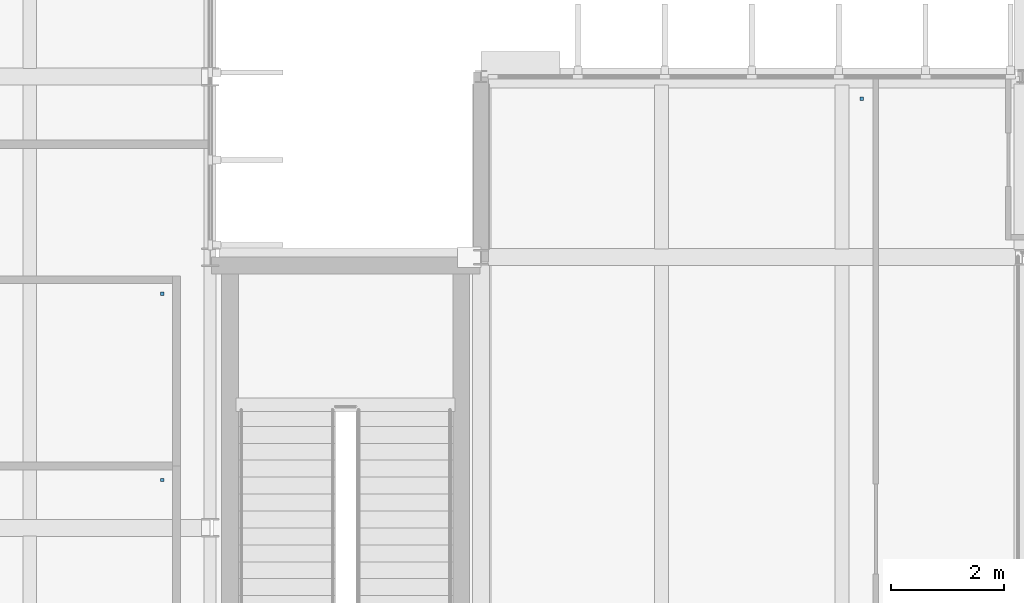
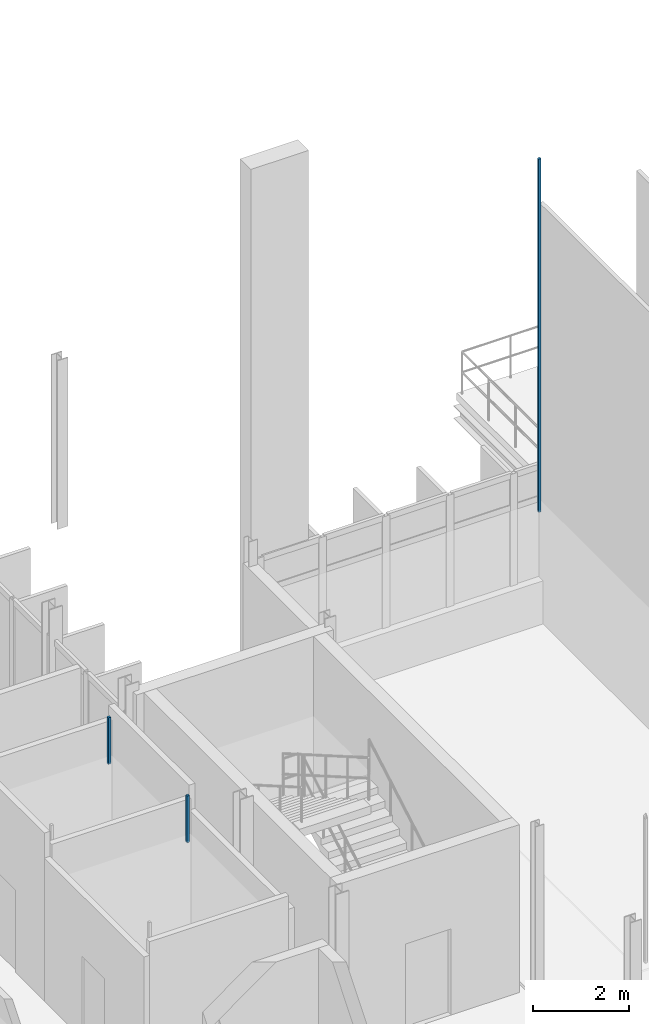
# One storey, part 30 of 41: 3 discrete accessories.
"""IFC4 building model written with IfcOpenShell, lengths in metres."""

import ifcopenshell
import ifcopenshell.guid

model = None  # the IFC model being written
_history = None  # IfcOwnerHistory: only IFC2X3 demands one
_inside = {}  # id of a spatial element -> (the spatial element, [elements in it])
_under = {}  # id of a project, library or spatial element -> (it, [spatial elements below it])
_declared = {}  # id of a project -> (the project, [libraries it declares])
_typed = {}  # id of a type object -> (the type object, [elements of that type])
_made_of = {}  # id of a material, layer set ... -> (it, [elements and type objects made of it])


def new_model(schema):
    """Start an empty IFC model of exactly this schema.

    Asked for "IFC4X3", IfcOpenShell would pick the latest addendum, in which some entities
    have other attributes; the version numbers below select the first issue.
    IFC2X3 requires an IfcOwnerHistory on every rooted entity: one is made here for all.
    """
    global model, _history
    if schema == "IFC4X3":
        model = ifcopenshell.file(schema_version=(4, 3, 0, 0))
    else:
        model = ifcopenshell.file(schema=schema)
    _inside.clear()
    _under.clear()
    _declared.clear()
    _typed.clear()
    _made_of.clear()
    _history = None
    if model.schema == "IFC2X3":
        org = make("IfcOrganization", Name="unknown")
        user = make(
            "IfcPersonAndOrganization",
            ThePerson=make("IfcPerson", FamilyName="unknown"),
            TheOrganization=org,
        )
        app = make(
            "IfcApplication",
            ApplicationDeveloper=org,
            Version="unknown",
            ApplicationFullName="unknown",
            ApplicationIdentifier="unknown",
        )
        _history = make(
            "IfcOwnerHistory",
            OwningUser=user,
            OwningApplication=app,
            ChangeAction="ADDED",
            CreationDate=0,
        )
    return model


def make(cls, **values):
    """One entity of the class cls with the attributes given. An attribute that is None is left unset."""
    return model.create_entity(
        cls, **{name: value for name, value in values.items() if value is not None}
    )


def rooted(cls, **values):
    """An entity with a GlobalId (a new one), such as an element, a storey or a relation."""
    return make(cls, GlobalId=ifcopenshell.guid.new(), OwnerHistory=_history, **values)


def si_unit(unit_type, name, prefix=None):
    """IfcSIUnit, for example si_unit("LENGTHUNIT", "METRE", prefix="MILLI")."""
    return make("IfcSIUnit", UnitType=unit_type, Prefix=prefix, Name=name)


def assignment(units):
    """IfcUnitAssignment: the units of a project."""
    return None if units is None else make("IfcUnitAssignment", Units=units)


def point(xyz):
    """IfcCartesianPoint."""
    return None if xyz is None else make("IfcCartesianPoint", Coordinates=xyz)


def direction(xyz):
    """IfcDirection."""
    return None if xyz is None else make("IfcDirection", DirectionRatios=xyz)


def frame(location, z_axis=None, x_axis=None):
    """IfcAxis2Placement3D, a coordinate frame: its origin and axes. An axis left out is left unset."""
    return make(
        "IfcAxis2Placement3D",
        Location=point(location),
        Axis=direction(z_axis),
        RefDirection=direction(x_axis),
    )


def origin():
    """The frame at (0, 0, 0) with its axes left unset."""
    return frame((0.0, 0.0, 0.0))


def place(relative_to, where):
    """IfcLocalPlacement: puts the frame where relative to a parent placement (None: the world)."""
    return make(
        "IfcLocalPlacement", PlacementRelTo=relative_to, RelativePlacement=where
    )


def context(
    kind, dimensions, precision=None, world=None, true_north=None, identifier=None
):
    """IfcGeometricRepresentationContext, for example the 3D "Model" context."""
    return make(
        "IfcGeometricRepresentationContext",
        ContextIdentifier=identifier,
        ContextType=kind,
        CoordinateSpaceDimension=dimensions,
        Precision=precision,
        WorldCoordinateSystem=world,
        TrueNorth=true_north,
    )


def subcontext(parent, identifier, kind, view, scale=None):
    """IfcGeometricRepresentationSubContext, for example "Body" below "Model"."""
    return make(
        "IfcGeometricRepresentationSubContext",
        ContextIdentifier=identifier,
        ContextType=kind,
        ParentContext=parent,
        TargetScale=scale,
        TargetView=view,
    )


def project(units=None, contexts=None):
    """IfcProject with its units and contexts."""
    return rooted(
        "IfcProject",
        Name="project",
        RepresentationContexts=contexts,
        UnitsInContext=assignment(units),
    )


def spatial(cls, under=None, at=None, **own):
    """A site, building, storey or space (cls), placed at a placement, below another one or the project."""
    s = rooted(cls, ObjectPlacement=at, **own)
    if under is not None:
        _under.setdefault(under.id(), (under, []))[1].append(s)
    return s


def polyline(points):
    """IfcPolyline through the points."""
    return make("IfcPolyline", Points=[point(p) for p in points])


def outline(outer, holes=None, kind="AREA"):
    """IfcArbitraryClosedProfileDef: a profile drawn as a closed curve; with holes, ...WithVoids."""
    if holes is None:
        return make("IfcArbitraryClosedProfileDef", ProfileType=kind, OuterCurve=outer)
    return make(
        "IfcArbitraryProfileDefWithVoids",
        ProfileType=kind,
        OuterCurve=outer,
        InnerCurves=holes,
    )


def extrude(swept, where, along, depth):
    """IfcExtrudedAreaSolid: the profile swept, set in the frame where, extruded along a direction by depth."""
    return make(
        "IfcExtrudedAreaSolid",
        SweptArea=swept,
        Position=where,
        ExtrudedDirection=direction(along),
        Depth=depth,
    )


def shape(context_of_items, identifier, shape_type, items):
    """IfcShapeRepresentation: the items that make up one representation, for example the "Body"."""
    return make(
        "IfcShapeRepresentation",
        ContextOfItems=context_of_items,
        RepresentationIdentifier=identifier,
        RepresentationType=shape_type,
        Items=items,
    )


def material(Name=None, Category=None):
    """IfcMaterial."""
    return make("IfcMaterial", Name=Name, Category=Category)


def made_of(thing, what):
    """Note that an element or type object is made of a material, layer set ...; save() writes the relation."""
    if what is not None:
        _made_of.setdefault(what.id(), (what, []))[1].append(thing)
    return thing


def type_object(cls, material=None, **own):
    """A type object (cls), such as IfcWallType, which elements share."""
    return made_of(rooted(cls, **own), material)


def element(
    cls,
    number,
    at=None,
    inside=None,
    cuts=None,
    type_object=None,
    material=None,
    context=None,
    identifier="Body",
    shape_type=None,
    held_by="IfcProductDefinitionShape",
    body=None,
    shapes=None,
    **own,
):
    """One element of the class cls, such as IfcWall. Its Tag is "e" and its number.

    at: its placement. inside: the storey or other place that contains it. cuts: it is an
    opening in that element (IfcRelVoidsElement). A single representation is given by context,
    identifier, shape_type and body (its items); several are given by shapes. held_by: the class
    of the entity that holds the representations. save() writes the other relations.
    """
    e = rooted(cls, Tag="e%d" % number, ObjectPlacement=at, **own)
    if body is not None:
        shapes = [shape(context, identifier, shape_type, body)]
    if shapes is not None:
        e.Representation = make(held_by, Representations=shapes)
    if inside is not None:
        _inside.setdefault(inside.id(), (inside, []))[1].append(e)
    if cuts is not None:
        rooted(
            "IfcRelVoidsElement", RelatingBuildingElement=cuts, RelatedOpeningElement=e
        )
    if type_object is not None:
        _typed.setdefault(type_object.id(), (type_object, []))[1].append(e)
    return made_of(e, material)


def aggregate(whole, parts):
    """IfcRelAggregates: a whole, such as a stair, and the parts it consists of."""
    return rooted("IfcRelAggregates", RelatingObject=whole, RelatedObjects=parts)


def save(model, path):
    """Write the relations noted so far, then the file.

    IfcRelAggregates (storeys below a building ...), IfcRelContainedInSpatialStructure (elements
    in a storey), IfcRelDefinesByType, IfcRelAssociatesMaterial and IfcRelDeclares: one each for
    every whole, place, type object, material and project.
    """
    for whole, parts in _under.values():
        aggregate(whole, parts)
    for where, things in _inside.values():
        rooted(
            "IfcRelContainedInSpatialStructure",
            RelatedElements=things,
            RelatingStructure=where,
        )
    for kind, things in _typed.values():
        rooted("IfcRelDefinesByType", RelatedObjects=things, RelatingType=kind)
    for what, things in _made_of.values():
        rooted("IfcRelAssociatesMaterial", RelatedObjects=things, RelatingMaterial=what)
    for by, libraries in _declared.values():
        rooted("IfcRelDeclares", RelatingContext=by, RelatedDefinitions=libraries)
    model.write(path)


model = new_model("IFC4")

# Units and contexts
model_context = context("Model", 3, precision=1e-05, world=origin(), true_north=direction((0.0, 1.0)))
body_context = subcontext(model_context, "Body", "Model", "MODEL_VIEW")
ifc_project = project(units=[si_unit("LENGTHUNIT", "METRE"), si_unit("AREAUNIT", "SQUARE_METRE"), si_unit("VOLUMEUNIT", "CUBIC_METRE"), si_unit("PLANEANGLEUNIT", "RADIAN"), si_unit("MASSUNIT", "GRAM", prefix="KILO")], contexts=[model_context])

# Site, building, storey
site_placement = place(None, origin())
site = spatial("IfcSite", under=ifc_project, at=site_placement, CompositionType="ELEMENT")
building_placement = place(site_placement, origin())
building = spatial("IfcBuilding", under=site, at=building_placement, Name="Dunescarp Central Library", CompositionType="ELEMENT")
storey_placement = place(building_placement, frame((0.0, 0.0, 23.10009765625)))
storey = spatial("IfcBuildingStorey", under=building, at=storey_placement, Name="L05", CompositionType="ELEMENT", Elevation=23.10009765625)

# Discrete accessories
ifc_material = material(Name="Stainless steel Grade 316L", Category="steel")
discrete_accessory_type = type_object("IfcDiscreteAccessoryType", Name="ARC-ACC-BRK", PredefinedType="BRACKET", material=ifc_material)
discrete_accessory_1_placement = place(storey_placement, frame((0.0, 0.0, 3.059814453125)))
element("IfcDiscreteAccessory", 1, at=discrete_accessory_1_placement, inside=storey, type_object=discrete_accessory_type, Name="L05 ceiling hanger CLG-L05-036-H2", PredefinedType="BRACKET", context=body_context, shape_type="SweptSolid", body=[
    extrude(outline(polyline([(32.719970703125, 21.6201171875), (32.780029296875, 21.6201171875), (32.780029296875, 21.679931640625), (32.719970703125, 21.679931640625), (32.719970703125, 21.6201171875)])), origin(), (0.0, 0.0, 1.0), 1.190185546875),
])
discrete_accessory_2_placement = place(storey_placement, frame((0.0, 0.0, 3.059814453125)))
element("IfcDiscreteAccessory", 2, at=discrete_accessory_2_placement, inside=storey, type_object=discrete_accessory_type, Name="L05 ceiling hanger CLG-L05-037-H2", PredefinedType="BRACKET", context=body_context, shape_type="SweptSolid", body=[
    extrude(outline(polyline([(32.719970703125, 24.919921875), (32.780029296875, 24.919921875), (32.780029296875, 24.97998046875), (32.719970703125, 24.97998046875), (32.719970703125, 24.919921875)])), origin(), (0.0, 0.0, 1.0), 1.190185546875),
])
discrete_accessory_3_placement = place(storey_placement, frame((0.0, 0.0, 3.059814453125)))
element("IfcDiscreteAccessory", 3, at=discrete_accessory_3_placement, inside=storey, type_object=discrete_accessory_type, Name="L05 ceiling hanger CLG-L05-087-H2", PredefinedType="BRACKET", context=body_context, shape_type="SweptSolid", body=[
    extrude(outline(polyline([(45.1201171875, 28.3798828125), (45.179931640625, 28.3798828125), (45.179931640625, 28.43994140625), (45.1201171875, 28.43994140625), (45.1201171875, 28.3798828125)])), origin(), (0.0, 0.0, 1.0), 9.023193359375),
])

save(model, "model.ifc")
